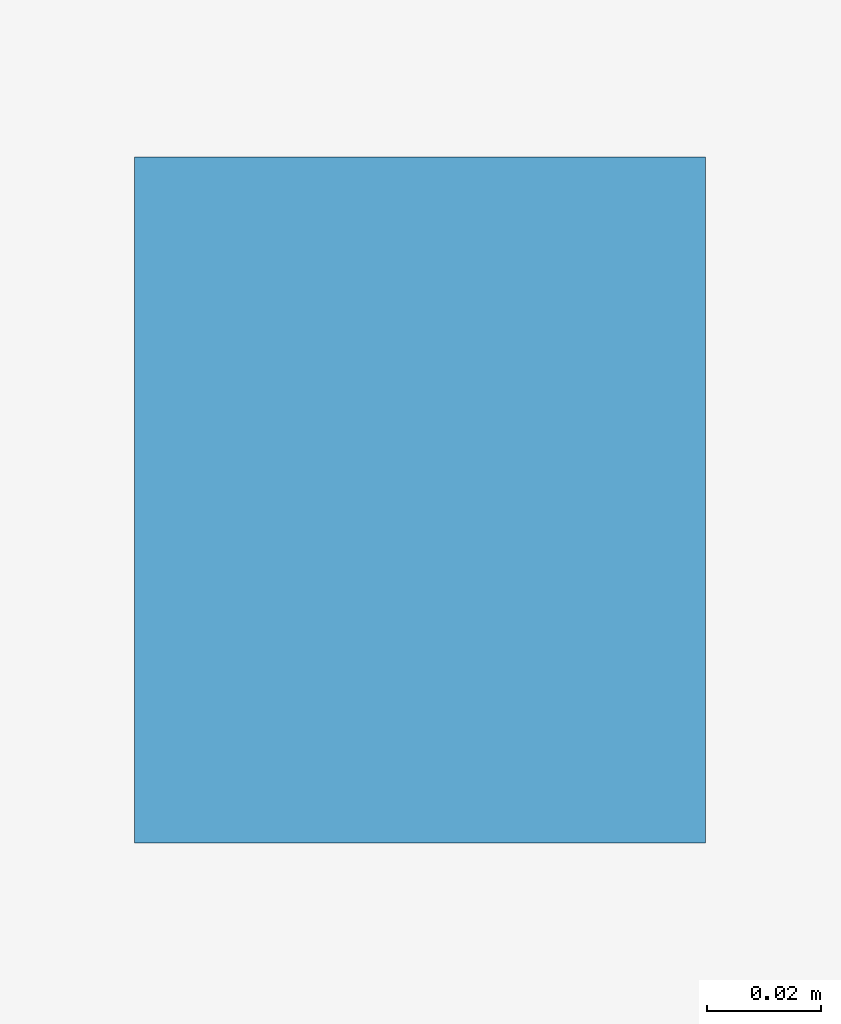
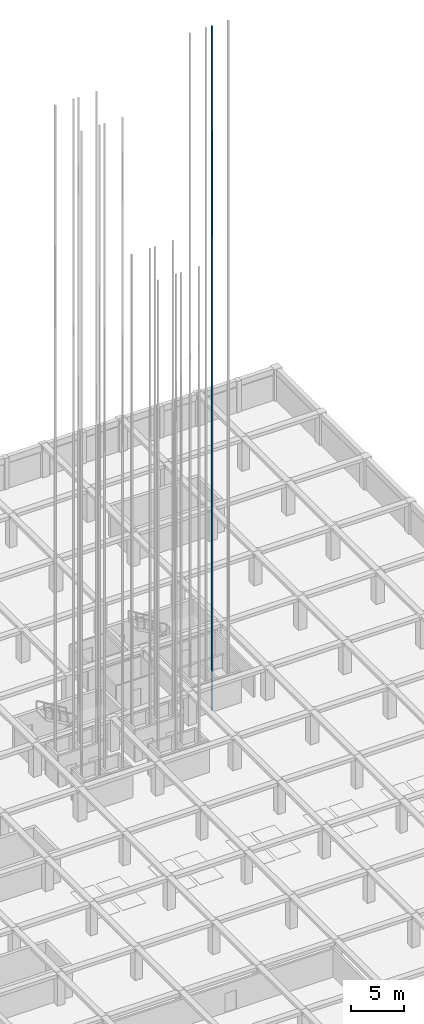
# One storey, part 43 of 47: 1 discrete accessory.
"""IFC4 building model written with IfcOpenShell, lengths in metres."""

from ifc_helpers import new_model, si_unit, direction, frame, origin, origin_2d, place, context, subcontext, project, spatial, rectangle, extrude, material, layer, layer_set, type_object, element, save


model = new_model("IFC4")

# Units and contexts
model_context = context("Model", 3, precision=1e-05, world=origin(), true_north=direction((0.0, 1.0)))
body_context = subcontext(model_context, "Body", "Model", "MODEL_VIEW")
ifc_project = project(units=[si_unit("LENGTHUNIT", "METRE"), si_unit("AREAUNIT", "SQUARE_METRE"), si_unit("VOLUMEUNIT", "CUBIC_METRE"), si_unit("PLANEANGLEUNIT", "RADIAN"), si_unit("MASSUNIT", "GRAM", prefix="KILO")], contexts=[model_context])

# Site, building, storey
site_placement = place(None, origin())
site = spatial("IfcSite", under=ifc_project, at=site_placement, CompositionType="ELEMENT")
building_placement = place(site_placement, origin())
building = spatial("IfcBuilding", under=site, at=building_placement, Name="Almacenes y Pasaje Nevantli", CompositionType="ELEMENT")
storey_placement = place(building_placement, frame((0.0, 0.0, -8.10009765625)))
storey = spatial("IfcBuildingStorey", under=building, at=storey_placement, Name="B02", CompositionType="ELEMENT", Elevation=-8.10009765625)

# Discrete accessory
ifc_material = material(Name="Steel ASTM A36", Category="steel")
ifc_layer = layer(ifc_material, 0.1201171875)
ifc_layer_set = layer_set([ifc_layer], Name="Steel ASTM A36")
discrete_accessory_type = type_object("IfcDiscreteAccessoryType", Name="ACC-LIFT-RAIL", PredefinedType="BRACKET", material=ifc_layer_set)
discrete_accessory_placement = place(storey_placement, frame((138.02001953125, 77.75, -1.199951171875), z_axis=(0.0, 0.0, 1.0), x_axis=(1.0, 0.0, 0.0)))
element("IfcDiscreteAccessory", 1, at=discrete_accessory_placement, inside=storey, type_object=discrete_accessory_type, Name="Elevator Steel T-Section Guide Rail ELV-FF2-W", PredefinedType="BRACKET", context=body_context, shape_type="SweptSolid", body=[
    extrude(rectangle(XDim=0.10009765625, YDim=0.1201171875, at=origin_2d()), origin(), (0.0, 0.0, 1.0), 78.5),
])

save(model, "model.ifc")
